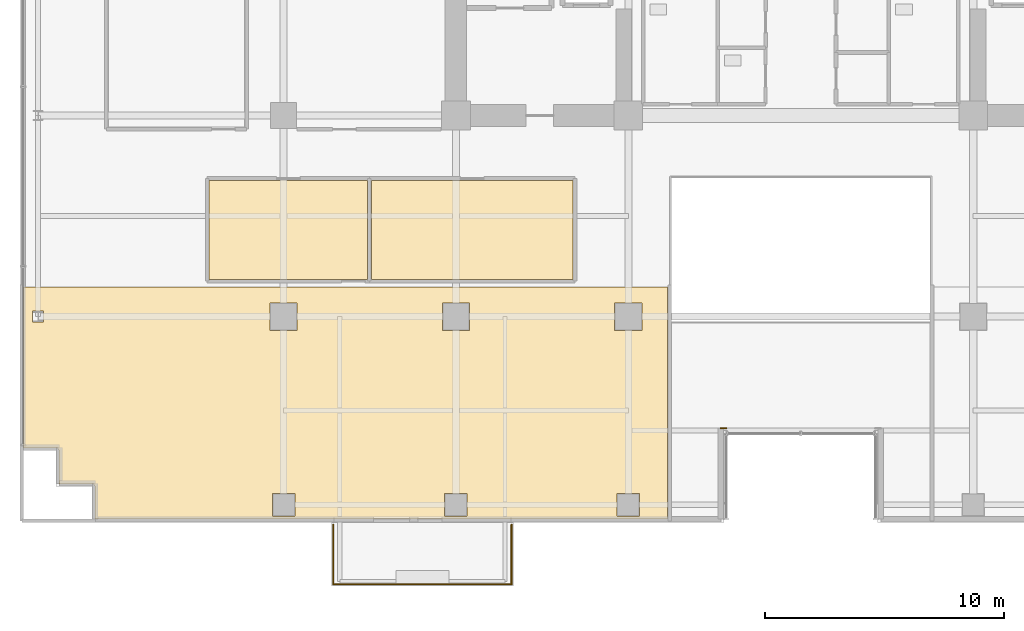
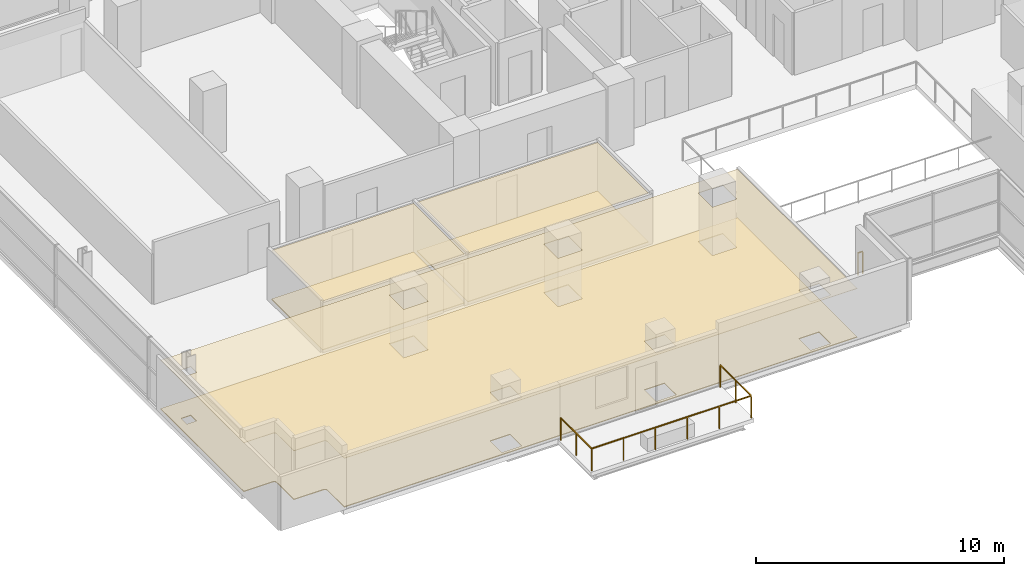
# One storey, part 26 of 30: 6 coverings, 2 railings.
"""IFC4 building model written with IfcOpenShell, lengths in metres."""

from ifc_helpers import new_model, si_unit, direction, frame, origin, origin_2d, place, context, subcontext, project, spatial, polyline, rectangle, outline, extrude, material, layer, layer_set, type_object, element, save


model = new_model("IFC4")

# Units and contexts
model_context = context("Model", 3, precision=1e-05, world=origin(), true_north=direction((0.0, 1.0)))
body_context = subcontext(model_context, "Body", "Model", "MODEL_VIEW")
ifc_project = project(units=[si_unit("LENGTHUNIT", "METRE"), si_unit("AREAUNIT", "SQUARE_METRE"), si_unit("VOLUMEUNIT", "CUBIC_METRE"), si_unit("PLANEANGLEUNIT", "RADIAN"), si_unit("MASSUNIT", "GRAM", prefix="KILO")], contexts=[model_context])

# Site, building, storey
site_placement = place(None, origin())
site = spatial("IfcSite", under=ifc_project, at=site_placement, CompositionType="ELEMENT")
building_placement = place(site_placement, origin())
building = spatial("IfcBuilding", under=site, at=building_placement, Name="Zarnakvel Exchange Tower", CompositionType="ELEMENT")
storey_placement = place(building_placement, frame((0.0, 0.0, 43.89990234375)))
storey = spatial("IfcBuildingStorey", under=building, at=storey_placement, Name="L11", CompositionType="ELEMENT", Elevation=43.89990234375)

# Coverings
ifc_material_1 = material(Name="Perforated Bronze Acoustic Metal Ceiling", Category="aluminium")
ifc_layer_1 = layer(ifc_material_1, 0.02001953125)
ifc_layer_set_1 = layer_set([ifc_layer_1], Name="Perforated Bronze Acoustic Metal Ceiling")
covering_type_1 = type_object("IfcCoveringType", Name="CLG-01", PredefinedType="CEILING", material=ifc_layer_set_1)
covering_1_placement = place(storey_placement, frame((0.0, 0.0, 2.405029296875)))
element("IfcCovering", 1, at=covering_1_placement, inside=storey, type_object=covering_type_1, Name="L11 Suspended Acoustic Ceiling (Conference Room)", PredefinedType="CEILING", context=body_context, shape_type="SweptSolid", body=[
    extrude(outline(polyline([(-24.710205078125, -3.909912109375), (-18.092529296875, -3.909912109375), (-18.092529296875, -8.0400390625), (-24.710205078125, -8.0400390625), (-24.710205078125, -3.909912109375)])), origin(), (0.0, 0.0, 1.0), 0.02001953125),
])
covering_2_placement = place(storey_placement, frame((0.0, 0.0, 2.405029296875)))
element("IfcCovering", 2, at=covering_2_placement, inside=storey, type_object=covering_type_1, Name="L11 Suspended Acoustic Ceiling (Executive Suite)", PredefinedType="CEILING", context=body_context, shape_type="SweptSolid", body=[
    extrude(outline(polyline([(-17.9326171875, -3.909912109375), (-9.510009765625, -3.909912109375), (-9.510009765625, -8.0400390625), (-17.9326171875, -8.0400390625), (-17.9326171875, -3.909912109375)])), origin(), (0.0, 0.0, 1.0), 0.02001953125),
])
covering_3_placement = place(storey_placement, frame((0.0, 0.0, 2.405029296875)))
element("IfcCovering", 3, at=covering_3_placement, inside=storey, type_object=covering_type_1, Name="L11 Suspended Acoustic Ceiling (Derivatives Trading Hall)", PredefinedType="CEILING", context=body_context, shape_type="SweptSolid", body=[
    extrude(outline(polyline([(-5.56005859375, -8.360107421875), (-5.56005859375, -18.050048828125), (-29.47998046875, -18.050048828125), (-29.47998046875, -16.699951171875), (-29.48046875, -16.688232421875), (-29.482421875, -16.676513671875), (-29.485107421875, -16.665283203125), (-29.489013671875, -16.654052734375), (-29.494140625, -16.643310546875), (-29.500244140625, -16.63330078125), (-29.50732421875, -16.623779296875), (-29.51513671875, -16.615234375), (-29.52392578125, -16.607177734375), (-29.533447265625, -16.600341796875), (-29.54345703125, -16.59423828125), (-29.55419921875, -16.589111328125), (-29.565185546875, -16.585205078125), (-29.57666015625, -16.582275390625), (-29.588134765625, -16.58056640625), (-29.60009765625, -16.580078125), (-30.97998046875, -16.580078125), (-30.97998046875, -15.199951171875), (-30.98046875, -15.188232421875), (-30.982421875, -15.176513671875), (-30.985107421875, -15.165283203125), (-30.989013671875, -15.154052734375), (-30.994140625, -15.143310546875), (-31.000244140625, -15.13330078125), (-31.00732421875, -15.123779296875), (-31.01513671875, -15.115234375), (-31.02392578125, -15.107177734375), (-31.033447265625, -15.100341796875), (-31.04345703125, -15.09423828125), (-31.05419921875, -15.089111328125), (-31.065185546875, -15.085205078125), (-31.07666015625, -15.082275390625), (-31.088134765625, -15.08056640625), (-31.10009765625, -15.080078125), (-32.449951171875, -15.080078125), (-32.449951171875, -8.360107421875), (-5.56005859375, -8.360107421875)]), holes=[polyline([(-7.77001953125, -10.169921875), (-6.6298828125, -10.169921875), (-6.6298828125, -9.030029296875), (-7.77001953125, -9.030029296875), (-7.77001953125, -10.169921875)]), polyline([(-6.72998046875, -17.919921875), (-6.72998046875, -16.97998046875), (-7.669921875, -16.97998046875), (-7.669921875, -17.919921875), (-6.72998046875, -17.919921875)]), polyline([(-13.830078125, -10.169921875), (-13.830078125, -9.030029296875), (-14.969970703125, -9.030029296875), (-14.969970703125, -10.169921875), (-13.830078125, -10.169921875)]), polyline([(-13.929931640625, -17.919921875), (-13.929931640625, -16.97998046875), (-14.8701171875, -16.97998046875), (-14.8701171875, -17.919921875), (-13.929931640625, -17.919921875)]), polyline([(-21.030029296875, -10.169921875), (-21.030029296875, -9.030029296875), (-22.169921875, -9.030029296875), (-22.169921875, -10.169921875), (-21.030029296875, -10.169921875)]), polyline([(-21.1298828125, -17.919921875), (-21.1298828125, -16.97998046875), (-22.070068359375, -16.97998046875), (-22.070068359375, -17.919921875), (-21.1298828125, -17.919921875)]), polyline([(-32.075927734375, -9.83251953125), (-31.6240234375, -9.83251953125), (-31.6240234375, -9.367431640625), (-32.075927734375, -9.367431640625), (-32.075927734375, -9.83251953125)])]), origin(), (0.0, 0.0, 1.0), 0.02001953125),
])
ifc_material_2 = material(Name="Heavy-Duty Raised Access Floor Panel", Category="steel")
ifc_layer_2 = layer(ifc_material_2, 0.034912109375)
ifc_layer_set_2 = layer_set([ifc_layer_2], Name="Heavy-Duty Raised Access Floor Panel")
covering_type_2 = type_object("IfcCoveringType", Name="FLR-02", PredefinedType="FLOORING", material=ifc_layer_set_2)
covering_4_placement = place(storey_placement, origin())
element("IfcCovering", 4, at=covering_4_placement, inside=storey, type_object=covering_type_2, Name="L11 Floor Finish (Conference Room)", PredefinedType="FLOORING", context=body_context, shape_type="SweptSolid", body=[
    extrude(outline(polyline([(-24.710205078125, -3.909912109375), (-18.092529296875, -3.909912109375), (-18.092529296875, -8.0400390625), (-24.710205078125, -8.0400390625), (-24.710205078125, -3.909912109375)])), origin(), (0.0, 0.0, 1.0), 0.03515625),
])
covering_5_placement = place(storey_placement, origin())
element("IfcCovering", 5, at=covering_5_placement, inside=storey, type_object=covering_type_2, Name="L11 Floor Finish (Executive Suite)", PredefinedType="FLOORING", context=body_context, shape_type="SweptSolid", body=[
    extrude(outline(polyline([(-17.9326171875, -3.909912109375), (-9.510009765625, -3.909912109375), (-9.510009765625, -8.0400390625), (-17.9326171875, -8.0400390625), (-17.9326171875, -3.909912109375)])), origin(), (0.0, 0.0, 1.0), 0.03515625),
])
covering_6_placement = place(storey_placement, origin())
element("IfcCovering", 6, at=covering_6_placement, inside=storey, type_object=covering_type_2, Name="L11 Floor Finish (Derivatives Trading Hall)", PredefinedType="FLOORING", context=body_context, shape_type="SweptSolid", body=[
    extrude(outline(polyline([(-5.56005859375, -8.360107421875), (-5.56005859375, -18.050048828125), (-29.47998046875, -18.050048828125), (-29.47998046875, -16.699951171875), (-29.48046875, -16.688232421875), (-29.482421875, -16.676513671875), (-29.485107421875, -16.665283203125), (-29.489013671875, -16.654052734375), (-29.494140625, -16.643310546875), (-29.500244140625, -16.63330078125), (-29.50732421875, -16.623779296875), (-29.51513671875, -16.615234375), (-29.52392578125, -16.607177734375), (-29.533447265625, -16.600341796875), (-29.54345703125, -16.59423828125), (-29.55419921875, -16.589111328125), (-29.565185546875, -16.585205078125), (-29.57666015625, -16.582275390625), (-29.588134765625, -16.58056640625), (-29.60009765625, -16.580078125), (-30.97998046875, -16.580078125), (-30.97998046875, -15.199951171875), (-30.98046875, -15.188232421875), (-30.982421875, -15.176513671875), (-30.985107421875, -15.165283203125), (-30.989013671875, -15.154052734375), (-30.994140625, -15.143310546875), (-31.000244140625, -15.13330078125), (-31.00732421875, -15.123779296875), (-31.01513671875, -15.115234375), (-31.02392578125, -15.107177734375), (-31.033447265625, -15.100341796875), (-31.04345703125, -15.09423828125), (-31.05419921875, -15.089111328125), (-31.065185546875, -15.085205078125), (-31.07666015625, -15.082275390625), (-31.088134765625, -15.08056640625), (-31.10009765625, -15.080078125), (-32.449951171875, -15.080078125), (-32.449951171875, -8.360107421875), (-5.56005859375, -8.360107421875)]), holes=[polyline([(-7.77001953125, -10.169921875), (-6.6298828125, -10.169921875), (-6.6298828125, -9.030029296875), (-7.77001953125, -9.030029296875), (-7.77001953125, -10.169921875)]), polyline([(-6.72998046875, -17.919921875), (-6.72998046875, -16.97998046875), (-7.669921875, -16.97998046875), (-7.669921875, -17.919921875), (-6.72998046875, -17.919921875)]), polyline([(-13.830078125, -10.169921875), (-13.830078125, -9.030029296875), (-14.969970703125, -9.030029296875), (-14.969970703125, -10.169921875), (-13.830078125, -10.169921875)]), polyline([(-13.929931640625, -17.919921875), (-13.929931640625, -16.97998046875), (-14.8701171875, -16.97998046875), (-14.8701171875, -17.919921875), (-13.929931640625, -17.919921875)]), polyline([(-21.030029296875, -10.169921875), (-21.030029296875, -9.030029296875), (-22.169921875, -9.030029296875), (-22.169921875, -10.169921875), (-21.030029296875, -10.169921875)]), polyline([(-21.1298828125, -17.919921875), (-21.1298828125, -16.97998046875), (-22.070068359375, -16.97998046875), (-22.070068359375, -17.919921875), (-21.1298828125, -17.919921875)]), polyline([(-32.075927734375, -9.83251953125), (-31.6240234375, -9.83251953125), (-31.6240234375, -9.367431640625), (-32.075927734375, -9.367431640625), (-32.075927734375, -9.83251953125)])]), origin(), (0.0, 0.0, 1.0), 0.03515625),
])

# Railings
ifc_material_3 = material(Name="Architectural Bronze Anodised Aluminium", Category="aluminium")
railing_type = type_object("IfcRailingType", Name="GR-02", PredefinedType="GUARDRAIL", material=ifc_material_3)
railing_1_placement = place(storey_placement, frame((-19.52001953125, -18.280029296875, -0.034912109375)))
element("IfcRailing", 7, at=railing_1_placement, inside=storey, type_object=railing_type, Name="L11 Balcony Guardrail BAL-L11-SW", PredefinedType="GUARDRAIL", context=body_context, shape_type="SweptSolid", body=[
    extrude(rectangle(XDim=0.048095703125, YDim=0.048095703125, at=origin_2d()), frame((0.0, 0.0, 1.09619140625), z_axis=(0.0, -1.0, 0.0), x_axis=(1.0, 0.0, 0.0)), (0.0, 0.0, 1.0), 2.489990234375),
    extrude(rectangle(XDim=0.048095703125, YDim=0.048095703125, at=origin_2d()), frame((0.0, -2.489990234375, 1.09619140625), z_axis=(1.0, 0.0, 0.0), x_axis=(0.0, 1.0, 0.0)), (0.0, 0.0, 1.0), 7.43994140625),
    extrude(rectangle(XDim=0.048095703125, YDim=0.048095703125, at=origin_2d()), frame((7.43994140625, -2.489990234375, 1.09619140625), z_axis=(0.0, 1.0, 0.0), x_axis=(-1.0, 0.0, 0.0)), (0.0, 0.0, 1.0), 2.489990234375),
    extrude(rectangle(XDim=0.0419921875, YDim=0.0419921875, at=origin_2d()), origin(), (0.0, 0.0, 1.0), 1.072021484375),
    extrude(rectangle(XDim=0.0419921875, YDim=0.0419921875, at=origin_2d()), frame((0.0, -1.2451171875, 0.0)), (0.0, 0.0, 1.0), 1.072021484375),
    extrude(rectangle(XDim=0.0419921875, YDim=0.0419921875, at=origin_2d()), frame((0.0, -2.489990234375, 0.0)), (0.0, 0.0, 1.0), 1.072021484375),
    extrude(rectangle(XDim=0.0419921875, YDim=0.0419921875, at=origin_2d()), frame((1.488037109375, -2.489990234375, 0.0)), (0.0, 0.0, 1.0), 1.072021484375),
    extrude(rectangle(XDim=0.0419921875, YDim=0.0419921875, at=origin_2d()), frame((2.97607421875, -2.489990234375, 0.0)), (0.0, 0.0, 1.0), 1.072021484375),
    extrude(rectangle(XDim=0.0419921875, YDim=0.0419921875, at=origin_2d()), frame((4.4638671875, -2.489990234375, 0.0)), (0.0, 0.0, 1.0), 1.072021484375),
    extrude(rectangle(XDim=0.0419921875, YDim=0.0419921875, at=origin_2d()), frame((5.951904296875, -2.489990234375, 0.0)), (0.0, 0.0, 1.0), 1.072021484375),
    extrude(rectangle(XDim=0.0419921875, YDim=0.0419921875, at=origin_2d()), frame((7.43994140625, -2.489990234375, 0.0)), (0.0, 0.0, 1.0), 1.072021484375),
    extrude(rectangle(XDim=0.0419921875, YDim=0.0419921875, at=origin_2d()), frame((7.43994140625, -1.2451171875, 0.0)), (0.0, 0.0, 1.0), 1.072021484375),
    extrude(rectangle(XDim=0.0419921875, YDim=0.0419921875, at=origin_2d()), frame((7.43994140625, 0.0, 0.0)), (0.0, 0.0, 1.0), 1.072021484375),
])
railing_2_placement = place(storey_placement, frame((-3.1201171875, -14.260009765625, 0.0)))
element("IfcRailing", 8, at=railing_2_placement, inside=storey, type_object=railing_type, Name="L11 Corner Spandrel Balustrade #19", PredefinedType="GUARDRAIL", context=body_context, shape_type="SweptSolid", body=[
    extrude(rectangle(XDim=0.048095703125, YDim=0.048095703125, at=origin_2d()), frame((0.0, 0.0, 1.09619140625), z_axis=(-1.0, 0.0, 0.0), x_axis=(0.0, -1.0, 0.0)), (0.0, 0.0, 1.0), 0.219970703125),
    extrude(rectangle(XDim=0.0419921875, YDim=0.0419921875, at=origin_2d()), origin(), (0.0, 0.0, 1.0), 1.072021484375),
    extrude(rectangle(XDim=0.0419921875, YDim=0.0419921875, at=origin_2d()), frame((-0.219970703125, 0.0, 0.0)), (0.0, 0.0, 1.0), 1.072021484375),
])

save(model, "model.ifc")
